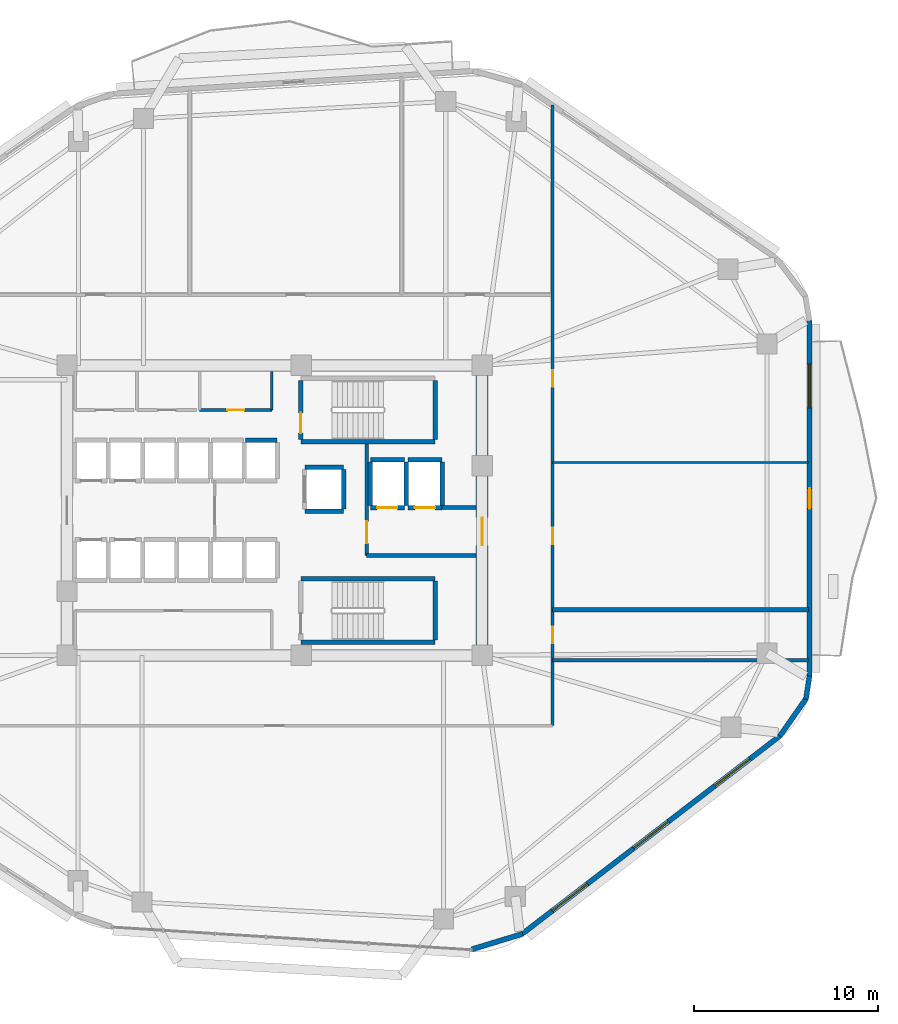
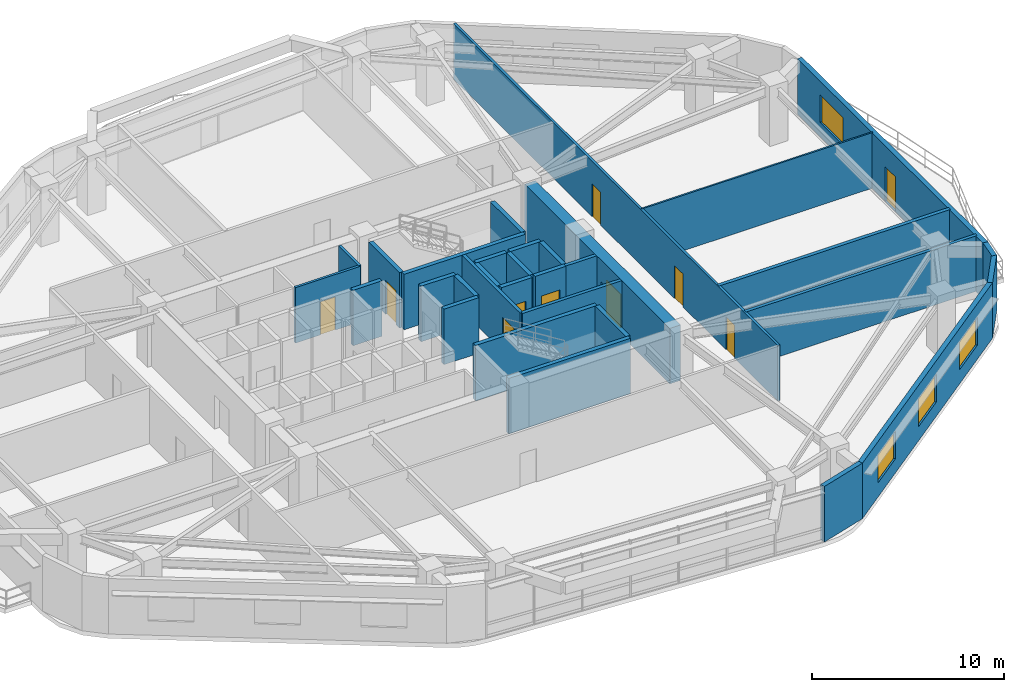
# One storey, part 8 of 12: 32 walls, 10 doors, 4 windows, 14 openings.
"""IFC4 building model written with IfcOpenShell, lengths in metres."""

from ifc_helpers import new_model, si_unit, direction, frame, frame_2d, origin, place, context, subcontext, project, spatial, rectangle, extrude, material, layer, layer_set, type_object, element, fill, save


model = new_model("IFC4")

# Units and contexts
model_context = context("Model", 3, precision=1e-05, world=origin(), true_north=direction((0.0, 1.0)))
body_context = subcontext(model_context, "Body", "Model", "MODEL_VIEW")
ifc_project = project(units=[si_unit("LENGTHUNIT", "METRE"), si_unit("AREAUNIT", "SQUARE_METRE"), si_unit("VOLUMEUNIT", "CUBIC_METRE"), si_unit("PLANEANGLEUNIT", "RADIAN"), si_unit("MASSUNIT", "GRAM", prefix="KILO")], contexts=[model_context])

# Site, building, storey
site_placement = place(None, origin())
site = spatial("IfcSite", under=ifc_project, at=site_placement, CompositionType="ELEMENT")
building_placement = place(site_placement, origin())
building = spatial("IfcBuilding", under=site, at=building_placement, Name="Zulverin Broadcast Headquarters", CompositionType="ELEMENT")
storey_placement = place(building_placement, frame((0.0, 0.0, 93.39990234375)))
storey = spatial("IfcBuildingStorey", under=building, at=storey_placement, Name="L23", CompositionType="ELEMENT", Elevation=93.39990234375)

# Walls
ifc_material_1 = material(Name="Acoustic drywall steel stud", Category="steel")
ifc_layer_1 = layer(ifc_material_1, 0.199951171875, Name="Acoustic drywall steel stud", Category="steel")
ifc_layer_set_1 = layer_set([ifc_layer_1], Name="Acoustic drywall steel stud")
wall_type_1 = type_object("IfcWallType", Name="WL-ACOU-200", PredefinedType="PARTITIONING", material=ifc_layer_set_1)
wall_1_placement = place(storey_placement, frame((52.10009765625, 17.050048828125, 0.0), z_axis=(0.0, 0.0, 1.0), x_axis=(1.0, 0.0, 0.0)))
element("IfcWall", 1, at=wall_1_placement, inside=storey, type_object=wall_type_1, Name="L23 Room Partition Wall RP-06", PredefinedType="PARTITIONING", context=body_context, shape_type="SweptSolid", body=[
    extrude(rectangle(XDim=13.89501953125, YDim=0.199951171875, at=frame_2d((6.947509765625, 0.0))), origin(), (0.0, 0.0, 1.0), 3.525146484375),
])
ifc_material_2 = material(Name="Double-stud acoustic drywall", Category="gypsum")
ifc_layer_2 = layer(ifc_material_2, 0.219970703125, Name="Double-stud acoustic drywall", Category="gypsum")
ifc_layer_set_2 = layer_set([ifc_layer_2], Name="Double-stud acoustic drywall")
wall_type_2 = type_object("IfcWallType", Name="WL-ACOU-220", PredefinedType="PARTITIONING", material=ifc_layer_set_2)
wall_2_placement = place(storey_placement, frame((52.10009765625, 19.800048828125, 0.0), z_axis=(0.0, 0.0, 1.0), x_axis=(1.0, 0.0, 0.0)))
element("IfcWall", 2, at=wall_2_placement, inside=storey, type_object=wall_type_2, Name="L23 Room Partition Wall RP-07", PredefinedType="PARTITIONING", context=body_context, shape_type="SweptSolid", body=[
    extrude(rectangle(XDim=13.89501953125, YDim=0.219970703125, at=frame_2d((6.947509765625, 0.0))), origin(), (0.0, 0.0, 1.0), 3.525146484375),
])

# Wall, opening, door
ifc_material_3 = material(Name="Concrete C60/75", Category="concrete")
ifc_layer_3 = layer(ifc_material_3, 0.64990234375, Name="Concrete C60/75", Category="concrete")
ifc_layer_set_3 = layer_set([ifc_layer_3], Name="Concrete C60/75")
wall_type_3 = type_object("IfcWallType", Name="WL-CORE-650", PredefinedType="SHEAR", material=ifc_layer_set_3)
wall_3_placement = place(storey_placement, frame((48.27490234375, 17.64990234375, 0.0), z_axis=(0.0, 0.0, 1.0), x_axis=(0.0, 1.0, 0.0)))
wall_3 = element("IfcWall", 3, at=wall_3_placement, inside=storey, type_object=wall_type_3, Name="L23 Core East Shear Wall", PredefinedType="SHEAR", context=body_context, shape_type="SweptSolid", body=[
    extrude(rectangle(XDim=15.10009765625, YDim=0.64990234375, at=frame_2d((7.550048828125, 0.0))), origin(), (0.0, 0.0, 1.0), 3.525146484375),
])
opening_1_placement = place(wall_3_placement, frame((5.64990234375, 0.0, 0.0)))
opening_1 = element("IfcOpeningElement", 4, at=opening_1_placement, cuts=wall_3, Name="Opening D-L23-CE1", PredefinedType="OPENING", context=body_context, shape_type="SweptSolid", body=[
    extrude(rectangle(XDim=1.5, YDim=2.14990234375, at=frame_2d((0.75, 1.074951171875))), frame((0.0, 0.3349609375, 0.0), z_axis=(0.0, -1.0, 0.0), x_axis=(1.0, 0.0, 0.0)), (0.0, 0.0, 1.0), 0.669921875),
])
ifc_material_4 = material(Name="Fire-rated glazed steel frame", Category="steel")
door_type_1 = type_object("IfcDoorType", Name="DR-COR-1500", OperationType="DOUBLE_DOOR_SINGLE_SWING", PredefinedType="DOOR", material=ifc_material_4)
door_1_placement = place(opening_1_placement, origin())
door_1 = element("IfcDoor", 5, at=door_1_placement, inside=storey, type_object=door_type_1, Name="L23 Firefighting Lobby East Corridor Door", OperationType="DOUBLE_DOOR_SINGLE_SWING", OverallHeight=2.14990234375, OverallWidth=1.5, PredefinedType="DOOR", context=body_context, shape_type="SweptSolid", body=[
    extrude(rectangle(XDim=1.5, YDim=2.14990234375, at=frame_2d((0.75, 1.074951171875))), frame((0.0, 0.02490234375, 0.0), z_axis=(0.0, -1.0, 0.0), x_axis=(1.0, 0.0, 0.0)), (0.0, 0.0, 1.0), 0.050048828125),
])
fill(opening_1, door_1)

# Wall, openings, windows
ifc_material_5 = material(Name="Insulated pale-metal clad concrete spandrel C40/50", Category="concrete")
ifc_layer_4 = layer(ifc_material_5, 0.280029296875, Name="Insulated pale-metal clad concrete spandrel C40/50", Category="concrete")
ifc_layer_set_4 = layer_set([ifc_layer_4], Name="Insulated pale-metal clad concrete spandrel C40/50")
wall_type_4 = type_object("IfcWallType", Name="WL-EXT-280", PredefinedType="STANDARD", material=ifc_layer_set_4)
wall_4_placement = place(storey_placement, frame((50.4287109375, 2.171630859375, 0.0), z_axis=(0.0, 0.0, 1.0), x_axis=(0.792937466367, 0.609303023488, 0.0)))
wall_4 = element("IfcWall", 6, at=wall_4_placement, inside=storey, type_object=wall_type_4, Name="L23 Pale-Metal Clad Spandrel Wall 2", PredefinedType="STANDARD", context=body_context, shape_type="SweptSolid", body=[
    extrude(rectangle(XDim=17.712890625, YDim=0.280029296875, at=frame_2d((8.8564453125, 0.0))), origin(), (0.0, 0.0, 1.0), 3.525146484375),
])
opening_2_placement = place(wall_4_placement, frame((2.08544921875, 0.0, 0.89990234375)))
opening_2 = element("IfcOpeningElement", 7, at=opening_2_placement, cuts=wall_4, Name="Opening W-L23-E21", PredefinedType="OPENING", context=body_context, shape_type="SweptSolid", body=[
    extrude(rectangle(XDim=2.39990234375, YDim=1.75, at=frame_2d((1.199951171875, 0.875))), frame((0.0, 0.14990234375, 0.0), z_axis=(0.0, -1.0, 0.0), x_axis=(1.0, 0.0, 0.0)), (0.0, 0.0, 1.0), 0.300048828125),
])
opening_3_placement = place(wall_4_placement, frame((7.656494140625, 0.0, 0.89990234375)))
opening_3 = element("IfcOpeningElement", 8, at=opening_3_placement, cuts=wall_4, Name="Opening W-L23-E22", PredefinedType="OPENING", context=body_context, shape_type="SweptSolid", body=[
    extrude(rectangle(XDim=2.39990234375, YDim=1.75, at=frame_2d((1.199951171875, 0.875))), frame((0.0, 0.14990234375, 0.0), z_axis=(0.0, -1.0, 0.0), x_axis=(1.0, 0.0, 0.0)), (0.0, 0.0, 1.0), 0.300048828125),
])
opening_4_placement = place(wall_4_placement, frame((13.227294921875, 0.0, 0.89990234375)))
opening_4 = element("IfcOpeningElement", 9, at=opening_4_placement, cuts=wall_4, Name="Opening W-L23-E23", PredefinedType="OPENING", context=body_context, shape_type="SweptSolid", body=[
    extrude(rectangle(XDim=2.39990234375, YDim=1.75, at=frame_2d((1.199951171875, 0.875))), frame((0.0, 0.14990234375, 0.0), z_axis=(0.0, -1.0, 0.0), x_axis=(1.0, 0.0, 0.0)), (0.0, 0.0, 1.0), 0.300048828125),
])
ifc_material_6 = material(Name="Pale anodized aluminium frame with solar-control low-E double glazing", Category="aluminium")
window_type = type_object("IfcWindowType", Name="WIN-RIB-2400", PartitioningType="SINGLE_PANEL", PredefinedType="WINDOW", material=ifc_material_6)
window_1_placement = place(opening_2_placement, origin())
window_1 = element("IfcWindow", 10, at=window_1_placement, inside=storey, type_object=window_type, Name="L23 Ribbon Glazing Window 2 1", OverallHeight=1.75, OverallWidth=2.39990234375, PartitioningType="SINGLE_PANEL", PredefinedType="WINDOW", context=body_context, shape_type="SweptSolid", body=[
    extrude(rectangle(XDim=2.39990234375, YDim=1.75, at=frame_2d((1.199951171875, 0.875))), frame((0.0, 0.030029296875, 0.0), z_axis=(0.0, -1.0, 0.0), x_axis=(1.0, 0.0, 0.0)), (0.0, 0.0, 1.0), 0.06005859375),
])
fill(opening_2, window_1)
window_2_placement = place(opening_3_placement, origin())
window_2 = element("IfcWindow", 11, at=window_2_placement, inside=storey, type_object=window_type, Name="L23 Ribbon Glazing Window 2 2", OverallHeight=1.75, OverallWidth=2.39990234375, PartitioningType="SINGLE_PANEL", PredefinedType="WINDOW", context=body_context, shape_type="SweptSolid", body=[
    extrude(rectangle(XDim=2.39990234375, YDim=1.75, at=frame_2d((1.199951171875, 0.875))), frame((0.0, 0.030029296875, 0.0), z_axis=(0.0, -1.0, 0.0), x_axis=(1.0, 0.0, 0.0)), (0.0, 0.0, 1.0), 0.06005859375),
])
fill(opening_3, window_2)
window_3_placement = place(opening_4_placement, origin())
window_3 = element("IfcWindow", 12, at=window_3_placement, inside=storey, type_object=window_type, Name="L23 Ribbon Glazing Window 2 3", OverallHeight=1.75, OverallWidth=2.39990234375, PartitioningType="SINGLE_PANEL", PredefinedType="WINDOW", context=body_context, shape_type="SweptSolid", body=[
    extrude(rectangle(XDim=2.39990234375, YDim=1.75, at=frame_2d((1.199951171875, 0.875))), frame((0.0, 0.030029296875, 0.0), z_axis=(0.0, -1.0, 0.0), x_axis=(1.0, 0.0, 0.0)), (0.0, 0.0, 1.0), 0.06005859375),
])
fill(opening_4, window_3)

# Wall, openings, door, window
wall_5_placement = place(storey_placement, frame((66.06005859375, 16.183349609375, 0.0), z_axis=(0.0, 0.0, 1.0), x_axis=(0.0, 1.0, 0.0)))
wall_5 = element("IfcWall", 13, at=wall_5_placement, inside=storey, type_object=wall_type_4, Name="L23 Pale-Metal Clad Spandrel Wall 3", PredefinedType="STANDARD", context=body_context, shape_type="SweptSolid", body=[
    extrude(rectangle(XDim=19.3310546875, YDim=0.280029296875, at=frame_2d((9.66552734375, 0.0))), origin(), (0.0, 0.0, 1.0), 3.525146484375),
])
opening_5_placement = place(wall_5_placement, frame((9.115478515625, 0.0, 0.0)))
opening_5 = element("IfcOpeningElement", 14, at=opening_5_placement, cuts=wall_5, Name="Opening D-L23-TR3", PredefinedType="OPENING", context=body_context, shape_type="SweptSolid", body=[
    extrude(rectangle(XDim=1.10009765625, YDim=2.199951171875, at=frame_2d((0.550048828125, 1.10009765625))), frame((0.0, 0.14990234375, 0.0), z_axis=(0.0, -1.0, 0.0), x_axis=(1.0, 0.0, 0.0)), (0.0, 0.0, 1.0), 0.300048828125),
])
opening_6_placement = place(wall_5_placement, frame((14.575927734375, 0.0, 0.89990234375)))
opening_6 = element("IfcOpeningElement", 15, at=opening_6_placement, cuts=wall_5, Name="Opening W-L23-E31", PredefinedType="OPENING", context=body_context, shape_type="SweptSolid", body=[
    extrude(rectangle(XDim=2.39990234375, YDim=1.75, at=frame_2d((1.199951171875, 0.875))), frame((0.0, 0.14990234375, 0.0), z_axis=(0.0, -1.0, 0.0), x_axis=(1.0, 0.0, 0.0)), (0.0, 0.0, 1.0), 0.300048828125),
])
ifc_material_7 = material(Name="Thermally broken aluminium glazed", Category="aluminium")
door_type_2 = type_object("IfcDoorType", Name="DR-TERR-1100", OperationType="SINGLE_SWING_RIGHT", PredefinedType="DOOR", material=ifc_material_7)
door_2_placement = place(opening_5_placement, origin())
door_2 = element("IfcDoor", 16, at=door_2_placement, inside=storey, type_object=door_type_2, Name="L23 Planted Terrace Glazed Access Door 3", OperationType="SINGLE_SWING_RIGHT", OverallHeight=2.199951171875, OverallWidth=1.10009765625, PredefinedType="DOOR", context=body_context, shape_type="SweptSolid", body=[
    extrude(rectangle(XDim=1.10009765625, YDim=2.199951171875, at=frame_2d((0.550048828125, 1.10009765625))), frame((0.0, 0.02490234375, 0.0), z_axis=(0.0, -1.0, 0.0), x_axis=(1.0, 0.0, 0.0)), (0.0, 0.0, 1.0), 0.050048828125),
])
fill(opening_5, door_2)
window_4_placement = place(opening_6_placement, origin())
window_4 = element("IfcWindow", 17, at=window_4_placement, inside=storey, type_object=window_type, Name="L23 Ribbon Glazing Window 3 1", OverallHeight=1.75, OverallWidth=2.39990234375, PartitioningType="SINGLE_PANEL", PredefinedType="WINDOW", context=body_context, shape_type="SweptSolid", body=[
    extrude(rectangle(XDim=2.39990234375, YDim=1.75, at=frame_2d((1.199951171875, 0.875))), frame((0.0, 0.030029296875, 0.0), z_axis=(0.0, -1.0, 0.0), x_axis=(1.0, 0.0, 0.0)), (0.0, 0.0, 1.0), 0.06005859375),
])
fill(opening_6, window_4)

# Walls
wall_6_placement = place(storey_placement, frame((47.7119140625, 1.35205078125, 0.0), z_axis=(0.0, 0.0, 1.0), x_axis=(0.956465727645, 0.291844670743, 0.0)))
element("IfcWall", 18, at=wall_6_placement, inside=storey, type_object=wall_type_4, Name="L23 Wind-Shaped Corner Spandrel Wall 1-1", PredefinedType="STANDARD", context=body_context, shape_type="SweptSolid", body=[
    extrude(rectangle(XDim=2.886962890625, YDim=0.280029296875, at=frame_2d((1.443359375, 0.0))), origin(), (0.0, 0.0, 1.0), 3.525146484375),
])
wall_7_placement = place(storey_placement, frame((64.4443359375, 12.933349609375, 0.0), z_axis=(0.0, 0.0, 1.0), x_axis=(0.573176686443, 0.819431806875, 0.0)))
element("IfcWall", 19, at=wall_7_placement, inside=storey, type_object=wall_type_4, Name="L23 Wind-Shaped Corner Spandrel Wall 2-1", PredefinedType="STANDARD", context=body_context, shape_type="SweptSolid", body=[
    extrude(rectangle(XDim=2.524169921875, YDim=0.280029296875, at=frame_2d((1.26220703125, 0.0))), origin(), (0.0, 0.0, 1.0), 3.525146484375),
])
wall_8_placement = place(storey_placement, frame((65.867431640625, 14.942626953125, 0.0), z_axis=(0.0, 0.0, 1.0), x_axis=(0.152014078361, 0.988378328364, 0.0)))
element("IfcWall", 20, at=wall_8_placement, inside=storey, type_object=wall_type_4, Name="L23 Wind-Shaped Corner Spandrel Wall 2-2", PredefinedType="STANDARD", context=body_context, shape_type="SweptSolid", body=[
    extrude(rectangle(XDim=1.27685546875, YDim=0.280029296875, at=frame_2d((0.638427734375, 0.0))), origin(), (0.0, 0.0, 1.0), 3.525146484375),
])

# Wall, opening, door
ifc_material_8 = material(Name="Concrete C40/50", Category="concrete")
ifc_layer_5 = layer(ifc_material_8, 0.199951171875, Name="Concrete C40/50", Category="concrete")
ifc_layer_set_5 = layer_set([ifc_layer_5], Name="Concrete C40/50")
wall_type_5 = type_object("IfcWallType", Name="WL-FFL-200", PredefinedType="SOLIDWALL", material=ifc_layer_set_5)
wall_9_placement = place(storey_placement, frame((42.0, 22.75, 0.0), z_axis=(0.0, 0.0, 1.0), x_axis=(0.0, 1.0, 0.0)))
wall_9 = element("IfcWall", 21, at=wall_9_placement, inside=storey, type_object=wall_type_5, Name="L23 Firefighting Lift Lobby West Wall", PredefinedType="SOLIDWALL", context=body_context, shape_type="SweptSolid", body=[
    extrude(rectangle(XDim=6.050048828125, YDim=0.199951171875, at=frame_2d((3.02490234375, 0.0))), origin(), (0.0, 0.0, 1.0), 3.525146484375),
])
opening_7_placement = place(wall_9_placement, frame((0.64990234375, 0.0, 0.0)))
opening_7 = element("IfcOpeningElement", 22, at=opening_7_placement, cuts=wall_9, Name="Opening D-L23-FFLW", PredefinedType="OPENING", context=body_context, shape_type="SweptSolid", body=[
    extrude(rectangle(XDim=1.199951171875, YDim=2.14990234375, at=frame_2d((0.60009765625, 1.074951171875))), frame((0.0, 0.10986328125, 0.0), z_axis=(0.0, -1.0, 0.0), x_axis=(1.0, 0.0, 0.0)), (0.0, 0.0, 1.0), 0.219970703125),
])
ifc_material_9 = material(Name="Fire-rated steel leaf and frame", Category="steel")
door_type_3 = type_object("IfcDoorType", Name="DR-FFL-1200", OperationType="SINGLE_SWING_RIGHT", PredefinedType="DOOR", material=ifc_material_9)
door_3_placement = place(opening_7_placement, origin())
door_3 = element("IfcDoor", 23, at=door_3_placement, inside=storey, type_object=door_type_3, Name="L23 Firefighting Lift Lobby Door", OperationType="SINGLE_SWING_RIGHT", OverallHeight=2.14990234375, OverallWidth=1.199951171875, PredefinedType="DOOR", context=body_context, shape_type="SweptSolid", body=[
    extrude(rectangle(XDim=1.199951171875, YDim=2.14990234375, at=frame_2d((0.60009765625, 1.074951171875))), frame((0.0, 0.02490234375, 0.0), z_axis=(0.0, -1.0, 0.0), x_axis=(1.0, 0.0, 0.0)), (0.0, 0.0, 1.0), 0.050048828125),
])
fill(opening_7, door_3)

# Walls
wall_10_placement = place(storey_placement, frame((42.0, 22.75, 0.0), z_axis=(0.0, 0.0, 1.0), x_axis=(1.0, 0.0, 0.0)))
element("IfcWall", 24, at=wall_10_placement, inside=storey, type_object=wall_type_5, Name="L23 Firefighting Lift Lobby South Wall", PredefinedType="SOLIDWALL", context=body_context, shape_type="SweptSolid", body=[
    extrude(rectangle(XDim=5.949951171875, YDim=0.199951171875, at=frame_2d((2.97509765625, 0.0))), origin(), (0.0, 0.0, 1.0), 3.525146484375),
])
wall_11_placement = place(storey_placement, frame((46.10009765625, 25.35009765625, 0.0), z_axis=(0.0, 0.0, 1.0), x_axis=(1.0, 0.0, 0.0)))
element("IfcWall", 25, at=wall_11_placement, inside=storey, type_object=wall_type_5, Name="L23 Firefighting Lift Lobby North Wall", PredefinedType="SOLIDWALL", context=body_context, shape_type="SweptSolid", body=[
    extrude(rectangle(XDim=1.849853515625, YDim=0.199951171875, at=frame_2d((0.9248046875, 0.0))), origin(), (0.0, 0.0, 1.0), 3.525146484375),
])
ifc_material_10 = material(Name="Fire-rated acoustic laminated glass screen", Category="glass")
ifc_layer_6 = layer(ifc_material_10, 0.10009765625, Name="Fire-rated acoustic laminated glass screen", Category="glass")
ifc_layer_set_6 = layer_set([ifc_layer_6], Name="Fire-rated acoustic laminated glass screen")
wall_type_6 = type_object("IfcWallType", Name="WL-GLAZ-100", PredefinedType="PARTITIONING", material=ifc_layer_set_6)
wall_12_placement = place(storey_placement, frame((52.10009765625, 27.800048828125, 0.0), z_axis=(0.0, 0.0, 1.0), x_axis=(1.0, 0.0, 0.0)))
element("IfcWall", 26, at=wall_12_placement, inside=storey, type_object=wall_type_6, Name="L23 Room Partition Wall RP-10", PredefinedType="PARTITIONING", context=body_context, shape_type="SweptSolid", body=[
    extrude(rectangle(XDim=13.89501953125, YDim=0.10009765625, at=frame_2d((6.947509765625, 0.0))), origin(), (0.0, 0.0, 1.0), 3.525146484375),
])

# Wall, opening, door
ifc_material_11 = material(Name="Fire-rated gypsum stud partition", Category="gypsum")
ifc_layer_7 = layer(ifc_material_11, 0.14990234375, Name="Fire-rated gypsum stud partition", Category="gypsum")
ifc_layer_set_7 = layer_set([ifc_layer_7], Name="Fire-rated gypsum stud partition")
wall_type_7 = type_object("IfcWallType", Name="WL-PART-150", PredefinedType="PARTITIONING", material=ifc_layer_set_7)
wall_13_placement = place(storey_placement, frame((32.929931640625, 30.64990234375, 0.0), z_axis=(0.0, 0.0, 1.0), x_axis=(1.0, 0.0, 0.0)))
wall_13 = element("IfcWall", 27, at=wall_13_placement, inside=storey, type_object=wall_type_7, Name="L23 Core Electrical Switch Riser Front Wall", PredefinedType="PARTITIONING", context=body_context, shape_type="SweptSolid", body=[
    extrude(rectangle(XDim=3.920166015625, YDim=0.14990234375, at=frame_2d((1.9599609375, 0.0))), origin(), (0.0, 0.0, 1.0), 3.525146484375),
])
opening_8_placement = place(wall_13_placement, frame((1.510009765625, 0.0, 0.0)))
opening_8 = element("IfcOpeningElement", 28, at=opening_8_placement, cuts=wall_13, Name="Opening D-L23-NC3", PredefinedType="OPENING", context=body_context, shape_type="SweptSolid", body=[
    extrude(rectangle(XDim=0.89990234375, YDim=2.10009765625, at=frame_2d((0.449951171875, 1.050048828125))), frame((0.0, 0.0849609375, 0.0), z_axis=(0.0, -1.0, 0.0), x_axis=(1.0, 0.0, 0.0)), (0.0, 0.0, 1.0), 0.169921875),
])
ifc_material_12 = material(Name="Powder-coated steel access leaf", Category="steel")
door_type_4 = type_object("IfcDoorType", Name="DR-RISER-900", OperationType="SINGLE_SWING_LEFT", PredefinedType="DOOR", material=ifc_material_12)
door_4_placement = place(opening_8_placement, origin())
door_4 = element("IfcDoor", 29, at=door_4_placement, inside=storey, type_object=door_type_4, Name="L23 Electrical Switch Riser Door", OperationType="SINGLE_SWING_LEFT", OverallHeight=2.10009765625, OverallWidth=0.89990234375, PredefinedType="DOOR", context=body_context, shape_type="SweptSolid", body=[
    extrude(rectangle(XDim=0.89990234375, YDim=2.10009765625, at=frame_2d((0.449951171875, 1.050048828125))), frame((0.0, 0.02490234375, 0.0), z_axis=(0.0, -1.0, 0.0), x_axis=(1.0, 0.0, 0.0)), (0.0, 0.0, 1.0), 0.050048828125),
])
fill(opening_8, door_4)

# Wall
wall_14_placement = place(storey_placement, frame((36.85009765625, 30.64990234375, 0.0), z_axis=(0.0, 0.0, 1.0), x_axis=(0.0, 1.0, 0.0)))
element("IfcWall", 30, at=wall_14_placement, inside=storey, type_object=wall_type_7, Name="L23 Core Electrical Switch Riser East Wall", PredefinedType="PARTITIONING", context=body_context, shape_type="SweptSolid", body=[
    extrude(rectangle(XDim=2.10009765625, YDim=0.14990234375, at=frame_2d((1.050048828125, 0.0))), origin(), (0.0, 0.0, 1.0), 3.525146484375),
])

# Wall, openings, doors
wall_15_placement = place(storey_placement, frame((52.10009765625, 13.5, 0.0), z_axis=(0.0, 0.0, 1.0), x_axis=(0.0, 1.0, 0.0)))
wall_15 = element("IfcWall", 31, at=wall_15_placement, inside=storey, type_object=wall_type_7, Name="L23 Gallery Partition Wall CG-01", PredefinedType="PARTITIONING", context=body_context, shape_type="SweptSolid", body=[
    extrude(rectangle(XDim=33.722900390625, YDim=0.14990234375, at=frame_2d((16.861328125, 0.0))), origin(), (0.0, 0.0, 1.0), 3.525146484375),
])
opening_9_placement = place(wall_15_placement, frame((4.47509765625, 0.0, 0.0)))
opening_9 = element("IfcOpeningElement", 32, at=opening_9_placement, cuts=wall_15, Name="Opening D-L23-08", PredefinedType="OPENING", context=body_context, shape_type="SweptSolid", body=[
    extrude(rectangle(XDim=0.89990234375, YDim=2.10009765625, at=frame_2d((0.449951171875, 1.050048828125))), frame((0.0, 0.0849609375, 0.0), z_axis=(0.0, -1.0, 0.0), x_axis=(1.0, 0.0, 0.0)), (0.0, 0.0, 1.0), 0.169921875),
])
opening_10_placement = place(wall_15_placement, frame((9.85009765625, 0.0, 0.0)))
opening_10 = element("IfcOpeningElement", 33, at=opening_10_placement, cuts=wall_15, Name="Opening D-L23-09", PredefinedType="OPENING", context=body_context, shape_type="SweptSolid", body=[
    extrude(rectangle(XDim=0.89990234375, YDim=2.10009765625, at=frame_2d((0.449951171875, 1.050048828125))), frame((0.0, 0.0849609375, 0.0), z_axis=(0.0, -1.0, 0.0), x_axis=(1.0, 0.0, 0.0)), (0.0, 0.0, 1.0), 0.169921875),
])
opening_11_placement = place(wall_15_placement, frame((18.39990234375, 0.0, 0.0)))
opening_11 = element("IfcOpeningElement", 34, at=opening_11_placement, cuts=wall_15, Name="Opening D-L23-10", PredefinedType="OPENING", context=body_context, shape_type="SweptSolid", body=[
    extrude(rectangle(XDim=0.89990234375, YDim=2.10009765625, at=frame_2d((0.449951171875, 1.050048828125))), frame((0.0, 0.0849609375, 0.0), z_axis=(0.0, -1.0, 0.0), x_axis=(1.0, 0.0, 0.0)), (0.0, 0.0, 1.0), 0.169921875),
])
ifc_material_13 = material(Name="Fire-rated hardwood veneer timber leaf", Category="wood")
door_type_5 = type_object("IfcDoorType", Name="DR-ROOM-900", OperationType="SINGLE_SWING_RIGHT", PredefinedType="DOOR", material=ifc_material_13)
door_5_placement = place(opening_9_placement, origin())
door_5 = element("IfcDoor", 35, at=door_5_placement, inside=storey, type_object=door_type_5, Name="L23 Archive Library Door", OperationType="SINGLE_SWING_LEFT", OverallHeight=2.10009765625, OverallWidth=0.89990234375, PredefinedType="DOOR", context=body_context, shape_type="SweptSolid", body=[
    extrude(rectangle(XDim=0.89990234375, YDim=2.10009765625, at=frame_2d((0.449951171875, 1.050048828125))), frame((0.0, 0.02490234375, 0.0), z_axis=(0.0, -1.0, 0.0), x_axis=(1.0, 0.0, 0.0)), (0.0, 0.0, 1.0), 0.050048828125),
])
fill(opening_9, door_5)
door_6_placement = place(opening_10_placement, origin())
door_6 = element("IfcDoor", 36, at=door_6_placement, inside=storey, type_object=door_type_5, Name="L23 Staff Cafe Door", OperationType="SINGLE_SWING_RIGHT", OverallHeight=2.10009765625, OverallWidth=0.89990234375, PredefinedType="DOOR", context=body_context, shape_type="SweptSolid", body=[
    extrude(rectangle(XDim=0.89990234375, YDim=2.10009765625, at=frame_2d((0.449951171875, 1.050048828125))), frame((0.0, 0.02490234375, 0.0), z_axis=(0.0, -1.0, 0.0), x_axis=(1.0, 0.0, 0.0)), (0.0, 0.0, 1.0), 0.050048828125),
])
fill(opening_10, door_6)
door_7_placement = place(opening_11_placement, origin())
door_7 = element("IfcDoor", 37, at=door_7_placement, inside=storey, type_object=door_type_5, Name="L23 Tea Pantry Door", OperationType="SINGLE_SWING_LEFT", OverallHeight=2.10009765625, OverallWidth=0.89990234375, PredefinedType="DOOR", context=body_context, shape_type="SweptSolid", body=[
    extrude(rectangle(XDim=0.89990234375, YDim=2.10009765625, at=frame_2d((0.449951171875, 1.050048828125))), frame((0.0, 0.02490234375, 0.0), z_axis=(0.0, -1.0, 0.0), x_axis=(1.0, 0.0, 0.0)), (0.0, 0.0, 1.0), 0.050048828125),
])
fill(opening_11, door_7)

# Wall
ifc_material_14 = material(Name="Concrete C50/60", Category="concrete")
ifc_layer_8 = layer(ifc_material_14, 0.25, Name="Concrete C50/60", Category="concrete")
ifc_layer_set_8 = layer_set([ifc_layer_8], Name="Concrete C50/60")
wall_type_8 = type_object("IfcWallType", Name="WL-SHAFT-250", PredefinedType="SHEAR", material=ifc_layer_set_8)
wall_16_placement = place(storey_placement, frame((38.425048828125, 28.925048828125, 0.0), z_axis=(0.0, 0.0, 1.0), x_axis=(1.0, 0.0, 0.0)))
element("IfcWall", 38, at=wall_16_placement, inside=storey, type_object=wall_type_8, Name="L23 ST-1 Enclosure Wall S", PredefinedType="SHEAR", context=body_context, shape_type="SweptSolid", body=[
    extrude(rectangle(XDim=7.300048828125, YDim=0.25, at=frame_2d((3.64990234375, 0.0))), origin(), (0.0, 0.0, 1.0), 3.525146484375),
])

# Wall, opening, door
wall_17_placement = place(storey_placement, frame((38.425048828125, 29.050048828125, 0.0), z_axis=(0.0, 0.0, 1.0), x_axis=(0.0, 1.0, 0.0)))
wall_17 = element("IfcWall", 39, at=wall_17_placement, inside=storey, type_object=wall_type_8, Name="L23 ST-1 Enclosure Wall W", PredefinedType="SHEAR", context=body_context, shape_type="SweptSolid", body=[
    extrude(rectangle(XDim=3.199951171875, YDim=0.25, at=frame_2d((1.60009765625, 0.0))), origin(), (0.0, 0.0, 1.0), 3.525146484375),
])
opening_12_placement = place(wall_17_placement, frame((0.35009765625, 0.0, 0.0)))
opening_12 = element("IfcOpeningElement", 40, at=opening_12_placement, cuts=wall_17, Name="Opening D-L23-ST-1", PredefinedType="OPENING", context=body_context, shape_type="SweptSolid", body=[
    extrude(rectangle(XDim=1.10009765625, YDim=2.14990234375, at=frame_2d((0.550048828125, 1.074951171875))), frame((0.0, 0.135009765625, 0.0), z_axis=(0.0, -1.0, 0.0), x_axis=(1.0, 0.0, 0.0)), (0.0, 0.0, 1.0), 0.27001953125),
])
door_type_6 = type_object("IfcDoorType", Name="DR-STAIR-1100", OperationType="SINGLE_SWING_LEFT", PredefinedType="DOOR", material=ifc_material_9)
door_8_placement = place(opening_12_placement, origin())
door_8 = element("IfcDoor", 41, at=door_8_placement, inside=storey, type_object=door_type_6, Name="L23 Exit Stair ST-1 Fire Door", OperationType="SINGLE_SWING_LEFT", OverallHeight=2.14990234375, OverallWidth=1.10009765625, PredefinedType="DOOR", context=body_context, shape_type="SweptSolid", body=[
    extrude(rectangle(XDim=1.10009765625, YDim=2.14990234375, at=frame_2d((0.550048828125, 1.074951171875))), frame((0.0, 0.02490234375, 0.0), z_axis=(0.0, -1.0, 0.0), x_axis=(1.0, 0.0, 0.0)), (0.0, 0.0, 1.0), 0.050048828125),
])
fill(opening_12, door_8)

# Walls
wall_18_placement = place(storey_placement, frame((45.72509765625, 29.050048828125, 0.0), z_axis=(0.0, 0.0, 1.0), x_axis=(0.0, 1.0, 0.0)))
element("IfcWall", 42, at=wall_18_placement, inside=storey, type_object=wall_type_8, Name="L23 ST-1 Enclosure Wall E", PredefinedType="SHEAR", context=body_context, shape_type="SweptSolid", body=[
    extrude(rectangle(XDim=3.199951171875, YDim=0.25, at=frame_2d((1.60009765625, 0.0))), origin(), (0.0, 0.0, 1.0), 3.525146484375),
])
for number, where, z_axis, x_axis, name in (
    (43, (38.425048828125, 18.02490234375, 0.0), (0.0, 0.0, 1.0), (1.0, 0.0, 0.0), "L23 ST-2 Enclosure Wall S"),
    (44, (38.425048828125, 21.47509765625, 0.0), (0.0, 0.0, 1.0), (1.0, 0.0, 0.0), "L23 ST-2 Enclosure Wall N"),
):
    element("IfcWall", number, at=place(storey_placement, frame(where, z_axis=z_axis, x_axis=x_axis)), inside=storey, type_object=wall_type_8, Name=name, PredefinedType="SHEAR", context=body_context, shape_type="SweptSolid", body=[
        extrude(rectangle(XDim=7.300048828125, YDim=0.25, at=frame_2d((3.64990234375, 0.0))), origin(), (0.0, 0.0, 1.0), 3.525146484375),
    ])
wall_19_placement = place(storey_placement, frame((45.72509765625, 18.14990234375, 0.0), z_axis=(0.0, 0.0, 1.0), x_axis=(0.0, 1.0, 0.0)))
element("IfcWall", 45, at=wall_19_placement, inside=storey, type_object=wall_type_8, Name="L23 ST-2 Enclosure Wall E", PredefinedType="SHEAR", context=body_context, shape_type="SweptSolid", body=[
    extrude(rectangle(XDim=3.2001953125, YDim=0.25, at=frame_2d((1.60009765625, 0.0))), origin(), (0.0, 0.0, 1.0), 3.525146484375),
])
wall_20_placement = place(storey_placement, frame((35.419921875, 29.0, 0.0), z_axis=(0.0, 0.0, 1.0), x_axis=(1.0, 0.0, 0.0)))
element("IfcWall", 46, at=wall_20_placement, inside=storey, type_object=wall_type_8, Name="L23 Lift PL-H4 Shaft Wall N", PredefinedType="SHEAR", context=body_context, shape_type="SweptSolid", body=[
    extrude(rectangle(XDim=1.719970703125, YDim=0.25, at=frame_2d((0.85986328125, 0.0))), origin(), (0.0, 0.0, 1.0), 3.525146484375),
])

# Wall, opening, door
wall_21_placement = place(storey_placement, frame((42.199951171875, 25.35009765625, 0.0), z_axis=(0.0, 0.0, 1.0), x_axis=(1.0, 0.0, 0.0)))
wall_21 = element("IfcWall", 47, at=wall_21_placement, inside=storey, type_object=wall_type_8, Name="L23 Lift FFL-1 Shaft Wall S", PredefinedType="SHEAR", context=body_context, shape_type="SweptSolid", body=[
    extrude(rectangle(XDim=1.85009765625, YDim=0.25, at=frame_2d((0.925048828125, 0.0))), origin(), (0.0, 0.0, 1.0), 3.525146484375),
])
opening_13_placement = place(wall_21_placement, frame((0.375, 0.0, 0.0)))
opening_13 = element("IfcOpeningElement", 48, at=opening_13_placement, cuts=wall_21, Name="Opening LD-FFL-1-L23", PredefinedType="OPENING", context=body_context, shape_type="SweptSolid", body=[
    extrude(rectangle(XDim=1.10009765625, YDim=2.14990234375, at=frame_2d((0.550048828125, 1.074951171875))), frame((0.0, 0.135009765625, 0.0), z_axis=(0.0, -1.0, 0.0), x_axis=(1.0, 0.0, 0.0)), (0.0, 0.0, 1.0), 0.27001953125),
])
ifc_material_15 = material(Name="Fire-rated stainless landing door", Category="steel")
door_type_7 = type_object("IfcDoorType", Name="LD-FFL-1100", OperationType="DOUBLE_DOOR_SLIDING", PredefinedType="DOOR", material=ifc_material_15)
door_9_placement = place(opening_13_placement, origin())
door_9 = element("IfcDoor", 49, at=door_9_placement, inside=storey, type_object=door_type_7, Name="L23 Lift FFL-1 Sliding Landing Door", OperationType="DOUBLE_DOOR_SLIDING", OverallHeight=2.14990234375, OverallWidth=1.10009765625, PredefinedType="DOOR", context=body_context, shape_type="SweptSolid", body=[
    extrude(rectangle(XDim=1.10009765625, YDim=2.14990234375, at=frame_2d((0.550048828125, 1.074951171875))), frame((0.0, 0.02490234375, 0.0), z_axis=(0.0, -1.0, 0.0), x_axis=(1.0, 0.0, 0.0)), (0.0, 0.0, 1.0), 0.050048828125),
])
fill(opening_13, door_9)

# Walls
wall_22_placement = place(storey_placement, frame((42.199951171875, 27.949951171875, 0.0), z_axis=(0.0, 0.0, 1.0), x_axis=(1.0, 0.0, 0.0)))
element("IfcWall", 50, at=wall_22_placement, inside=storey, type_object=wall_type_8, Name="L23 Lift FFL-1 Shaft Wall N", PredefinedType="SHEAR", context=body_context, shape_type="SweptSolid", body=[
    extrude(rectangle(XDim=1.85009765625, YDim=0.25, at=frame_2d((0.925048828125, 0.0))), origin(), (0.0, 0.0, 1.0), 3.525146484375),
])
for number, where, z_axis, x_axis, name in (
    (51, (42.199951171875, 25.469970703125, 0.0), (0.0, 0.0, 1.0), (0.0, 1.0, 0.0), "L23 Lift FFL-1 Shaft Wall W"),
    (52, (44.14990234375, 25.469970703125, 0.0), (0.0, 0.0, 1.0), (0.0, 1.0, 0.0), "L23 Lift FFL-1 Shaft Wall E"),
):
    element("IfcWall", number, at=place(storey_placement, frame(where, z_axis=z_axis, x_axis=x_axis)), inside=storey, type_object=wall_type_8, Name=name, PredefinedType="SHEAR", context=body_context, shape_type="SweptSolid", body=[
        extrude(rectangle(XDim=2.360107421875, YDim=0.25, at=frame_2d((1.18017578125, 0.0))), origin(), (0.0, 0.0, 1.0), 3.525146484375),
    ])

# Wall, opening, door
wall_23_placement = place(storey_placement, frame((44.25, 25.35009765625, 0.0), z_axis=(0.0, 0.0, 1.0), x_axis=(1.0, 0.0, 0.0)))
wall_23 = element("IfcWall", 53, at=wall_23_placement, inside=storey, type_object=wall_type_8, Name="L23 Lift FFL-2 Shaft Wall S", PredefinedType="SHEAR", context=body_context, shape_type="SweptSolid", body=[
    extrude(rectangle(XDim=1.85009765625, YDim=0.25, at=frame_2d((0.925048828125, 0.0))), origin(), (0.0, 0.0, 1.0), 3.525146484375),
])
opening_14_placement = place(wall_23_placement, frame((0.375, 0.0, 0.0)))
opening_14 = element("IfcOpeningElement", 54, at=opening_14_placement, cuts=wall_23, Name="Opening LD-FFL-2-L23", PredefinedType="OPENING", context=body_context, shape_type="SweptSolid", body=[
    extrude(rectangle(XDim=1.10009765625, YDim=2.14990234375, at=frame_2d((0.550048828125, 1.074951171875))), frame((0.0, 0.135009765625, 0.0), z_axis=(0.0, -1.0, 0.0), x_axis=(1.0, 0.0, 0.0)), (0.0, 0.0, 1.0), 0.27001953125),
])
door_10_placement = place(opening_14_placement, origin())
door_10 = element("IfcDoor", 55, at=door_10_placement, inside=storey, type_object=door_type_7, Name="L23 Lift FFL-2 Sliding Landing Door", OperationType="DOUBLE_DOOR_SLIDING", OverallHeight=2.14990234375, OverallWidth=1.10009765625, PredefinedType="DOOR", context=body_context, shape_type="SweptSolid", body=[
    extrude(rectangle(XDim=1.10009765625, YDim=2.14990234375, at=frame_2d((0.550048828125, 1.074951171875))), frame((0.0, 0.02490234375, 0.0), z_axis=(0.0, -1.0, 0.0), x_axis=(1.0, 0.0, 0.0)), (0.0, 0.0, 1.0), 0.050048828125),
])
fill(opening_14, door_10)

# Walls
wall_24_placement = place(storey_placement, frame((44.25, 27.949951171875, 0.0), z_axis=(0.0, 0.0, 1.0), x_axis=(1.0, 0.0, 0.0)))
element("IfcWall", 56, at=wall_24_placement, inside=storey, type_object=wall_type_8, Name="L23 Lift FFL-2 Shaft Wall N", PredefinedType="SHEAR", context=body_context, shape_type="SweptSolid", body=[
    extrude(rectangle(XDim=1.85009765625, YDim=0.25, at=frame_2d((0.925048828125, 0.0))), origin(), (0.0, 0.0, 1.0), 3.525146484375),
])
wall_25_placement = place(storey_placement, frame((46.10009765625, 25.469970703125, 0.0), z_axis=(0.0, 0.0, 1.0), x_axis=(0.0, 1.0, 0.0)))
element("IfcWall", 57, at=wall_25_placement, inside=storey, type_object=wall_type_8, Name="L23 Lift FFL-2 Shaft Wall E", PredefinedType="SHEAR", context=body_context, shape_type="SweptSolid", body=[
    extrude(rectangle(XDim=2.360107421875, YDim=0.25, at=frame_2d((1.18017578125, 0.0))), origin(), (0.0, 0.0, 1.0), 3.525146484375),
])
for number, where, z_axis, x_axis, name in (
    (58, (38.64990234375, 25.14990234375, 0.0), (0.0, 0.0, 1.0), (1.0, 0.0, 0.0), "L23 Lift SVL-1 Shaft Wall S"),
    (59, (38.64990234375, 27.550048828125, 0.0), (0.0, 0.0, 1.0), (1.0, 0.0, 0.0), "L23 Lift SVL-1 Shaft Wall N"),
):
    element("IfcWall", number, at=place(storey_placement, frame(where, z_axis=z_axis, x_axis=x_axis)), inside=storey, type_object=wall_type_8, Name=name, PredefinedType="SHEAR", context=body_context, shape_type="SweptSolid", body=[
        extrude(rectangle(XDim=2.10009765625, YDim=0.25, at=frame_2d((1.050048828125, 0.0))), origin(), (0.0, 0.0, 1.0), 3.525146484375),
    ])
wall_26_placement = place(storey_placement, frame((40.75, 25.27001953125, 0.0), z_axis=(0.0, 0.0, 1.0), x_axis=(0.0, 1.0, 0.0)))
element("IfcWall", 60, at=wall_26_placement, inside=storey, type_object=wall_type_8, Name="L23 Lift SVL-1 Shaft Wall E", PredefinedType="SHEAR", context=body_context, shape_type="SweptSolid", body=[
    extrude(rectangle(XDim=2.159912109375, YDim=0.25, at=frame_2d((1.080078125, 0.0))), origin(), (0.0, 0.0, 1.0), 3.525146484375),
])

save(model, "model.ifc")
